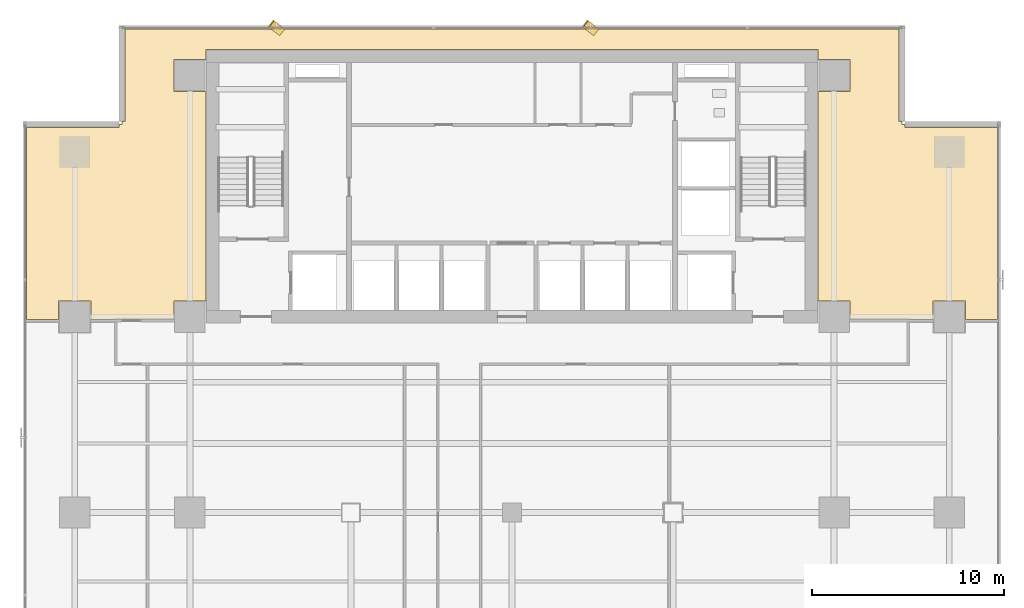
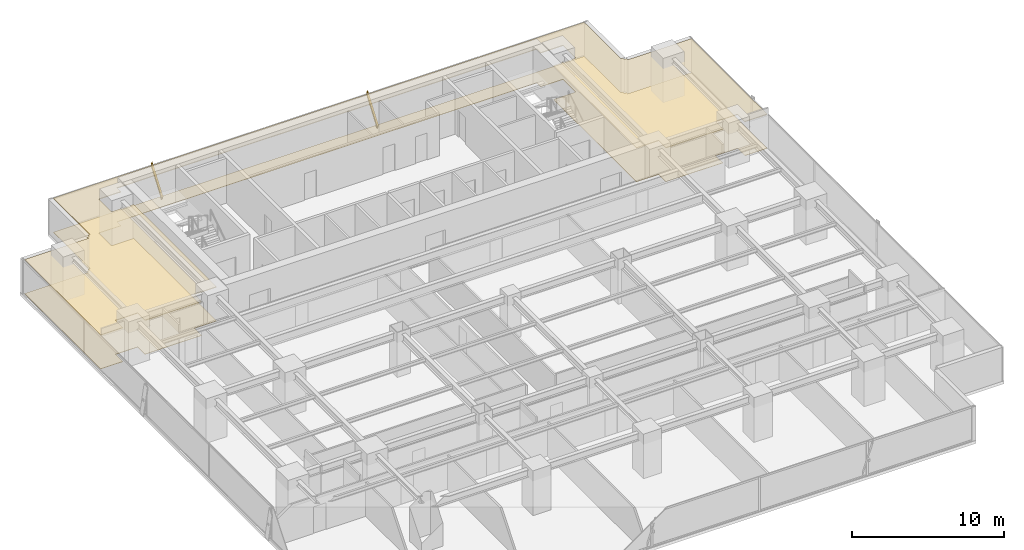
# One storey, part 35 of 37: 2 coverings, 2 shading devices.
"""IFC4 building model written with IfcOpenShell, lengths in metres."""

from ifc_helpers import new_model, si_unit, direction, frame, origin, origin_2d, place, context, subcontext, project, spatial, polyline, rectangle, outline, extrude, source, transform, mapped, material, layer, layer_set, material_profile, profile_set, type_object, element, save


model = new_model("IFC4")

# Units and contexts
model_context = context("Model", 3, precision=1e-05, world=origin(), true_north=direction((0.0, 1.0)))
body_context = subcontext(model_context, "Body", "Model", "MODEL_VIEW")
ifc_project = project(units=[si_unit("LENGTHUNIT", "METRE"), si_unit("AREAUNIT", "SQUARE_METRE"), si_unit("VOLUMEUNIT", "CUBIC_METRE"), si_unit("PLANEANGLEUNIT", "RADIAN"), si_unit("MASSUNIT", "GRAM", prefix="KILO")], contexts=[model_context])

# Site, building, storey
site_placement = place(None, origin())
site = spatial("IfcSite", under=ifc_project, at=site_placement, CompositionType="ELEMENT")
building_placement = place(site_placement, origin())
building = spatial("IfcBuilding", under=site, at=building_placement, Name="Sumidabori Civic Tower", CompositionType="ELEMENT")
storey_placement = place(building_placement, frame((0.0, 0.0, 81.199951171875)))
storey = spatial("IfcBuildingStorey", under=building, at=storey_placement, Name="L20", CompositionType="ELEMENT", Elevation=81.199951171875)

# Coverings
ifc_material_1 = material(Name="Anodised Bronze Baffle Ceiling")
ifc_layer_1 = layer(ifc_material_1, 0.054931640625, Name="Anodised Bronze Baffle Ceiling")
ifc_layer_set_1 = layer_set([ifc_layer_1], Name="Anodised Bronze Baffle Ceiling")
covering_type_1 = type_object("IfcCoveringType", Name="CV-CEIL-AC3", PredefinedType="CEILING", material=ifc_layer_set_1)
covering_1_placement = place(storey_placement, frame((0.0, 0.0, 2.7099609375)))
element("IfcCovering", 1, at=covering_1_placement, inside=storey, type_object=covering_type_1, Name="Room Acoustic Ceiling L20-01", PredefinedType="CEILING", context=body_context, shape_type="SweptSolid", body=[
    extrude(outline(polyline([(-25.330078125, 10.080078125), (-25.330078125, 20.072021484375), (-20.491943359375, 20.072021484375), (-20.491943359375, 20.22998046875), (-20.330078125, 20.22998046875), (-20.330078125, 20.39208984375), (-20.172119140625, 20.39208984375), (-20.172119140625, 25.22998046875), (20.172119140625, 25.22998046875), (20.172119140625, 20.39208984375), (20.330078125, 20.39208984375), (20.330078125, 20.22998046875), (20.491943359375, 20.22998046875), (20.491943359375, 20.072021484375), (25.330078125, 20.072021484375), (25.330078125, 10.080078125), (23.639892578125, 10.080078125), (23.639892578125, 11.0400390625), (21.9599609375, 11.0400390625), (21.9599609375, 10.080078125), (20.739990234375, 10.080078125), (20.739990234375, 10.090087890625), (17.639892578125, 10.090087890625), (17.639892578125, 11.0400390625), (15.952880859375, 11.0400390625), (15.952880859375, 21.9599609375), (17.639892578125, 21.9599609375), (17.639892578125, 23.639892578125), (15.952880859375, 23.639892578125), (15.952880859375, 24.153076171875), (-15.952880859375, 24.153076171875), (-15.952880859375, 23.639892578125), (-17.639892578125, 23.639892578125), (-17.639892578125, 21.9599609375), (-15.952880859375, 21.9599609375), (-15.952880859375, 11.0400390625), (-17.639892578125, 11.0400390625), (-17.639892578125, 10.090087890625), (-20.739990234375, 10.090087890625), (-20.739990234375, 10.080078125), (-21.9599609375, 10.080078125), (-21.9599609375, 11.0400390625), (-23.639892578125, 11.0400390625), (-23.639892578125, 10.080078125), (-25.330078125, 10.080078125)])), origin(), (0.0, 0.0, 1.0), 0.05517578125),
])
ifc_material_2 = material(Name="Honed Terrazzo Tile Flooring")
ifc_layer_2 = layer(ifc_material_2, 0.030029296875, Name="Honed Terrazzo Tile Flooring")
ifc_layer_set_2 = layer_set([ifc_layer_2], Name="Honed Terrazzo Tile Flooring")
covering_type_2 = type_object("IfcCoveringType", Name="CV-FLR-TER", PredefinedType="FLOORING", material=ifc_layer_set_2)
covering_2_placement = place(storey_placement, origin())
element("IfcCovering", 2, at=covering_2_placement, inside=storey, type_object=covering_type_2, Name="Room Terrazzo Floor L20-01", PredefinedType="FLOORING", context=body_context, shape_type="SweptSolid", body=[
    extrude(outline(polyline([(-25.330078125, 10.080078125), (-25.330078125, 20.072021484375), (-20.491943359375, 20.072021484375), (-20.491943359375, 20.22998046875), (-20.330078125, 20.22998046875), (-20.330078125, 20.39208984375), (-20.172119140625, 20.39208984375), (-20.172119140625, 25.22998046875), (20.172119140625, 25.22998046875), (20.172119140625, 20.39208984375), (20.330078125, 20.39208984375), (20.330078125, 20.22998046875), (20.491943359375, 20.22998046875), (20.491943359375, 20.072021484375), (25.330078125, 20.072021484375), (25.330078125, 10.080078125), (23.639892578125, 10.080078125), (23.639892578125, 11.0400390625), (21.9599609375, 11.0400390625), (21.9599609375, 10.080078125), (20.739990234375, 10.080078125), (20.739990234375, 10.090087890625), (17.639892578125, 10.090087890625), (17.639892578125, 11.0400390625), (15.952880859375, 11.0400390625), (15.952880859375, 21.9599609375), (17.639892578125, 21.9599609375), (17.639892578125, 23.639892578125), (15.952880859375, 23.639892578125), (15.952880859375, 24.153076171875), (-15.952880859375, 24.153076171875), (-15.952880859375, 23.639892578125), (-17.639892578125, 23.639892578125), (-17.639892578125, 21.9599609375), (-15.952880859375, 21.9599609375), (-15.952880859375, 11.0400390625), (-17.639892578125, 11.0400390625), (-17.639892578125, 10.090087890625), (-20.739990234375, 10.090087890625), (-20.739990234375, 10.080078125), (-21.9599609375, 10.080078125), (-21.9599609375, 11.0400390625), (-23.639892578125, 11.0400390625), (-23.639892578125, 10.080078125), (-25.330078125, 10.080078125)])), origin(), (0.0, 0.0, 1.0), 0.030029296875),
])

# Shading devices
ifc_material_3 = material(Name="Anodised Bronze Aluminium AW-6063-T6", Category="aluminium")
ifc_material_profile = material_profile(ifc_material_3, rectangle(XDim=0.06005859375, YDim=0.449951171875, at=origin_2d()), Name="BRONZE FIN 450x60")
ifc_profile_set = profile_set([ifc_material_profile], Name="Anodised Bronze Aluminium AW-6063-T6")
shading_device_type = type_object("IfcShadingDeviceType", Name="SH-FIN-450", PredefinedType="USERDEFINED", material=ifc_profile_set)
shared_shape = source(origin(), body_context, "Body", "SweptSolid", [
    extrude(rectangle(XDim=0.06005859375, YDim=0.449951171875, at=origin_2d()), origin(), (0.0, 0.0, 1.0), 2.769775390625),
])
for number, where, z_axis, x_axis, name in (
    (3, (4.3740234375, 25.070068359375, 0.02001953125), (-0.202198633998, 0.151604904305, 0.967538973582), (0.774112159528, -0.58041539424, 0.252721852241), "Bronze Anodised Diagonal Fin L20-02"),
    (4, (-12.001953125, 25.070068359375, 0.02001953125), (-0.202198633998, 0.151604904305, 0.967538973582), (0.774112159528, -0.58041539424, 0.252721852241), "Bronze Anodised Diagonal Fin L20-04"),
):
    element("IfcShadingDevice", number, at=place(storey_placement, frame(where, z_axis=z_axis, x_axis=x_axis)), inside=storey, type_object=shading_device_type, Name=name, ObjectType="FIN", PredefinedType="USERDEFINED", context=body_context, shape_type="MappedRepresentation", body=[
        mapped(shared_shape, transform((0.0, 0.0, 0.0), x_axis=(1.0, 0.0, 0.0), y_axis=(0.0, 1.0, 0.0), z_axis=(0.0, 0.0, 1.0), scale=1.0)),
    ])

save(model, "model.ifc")
